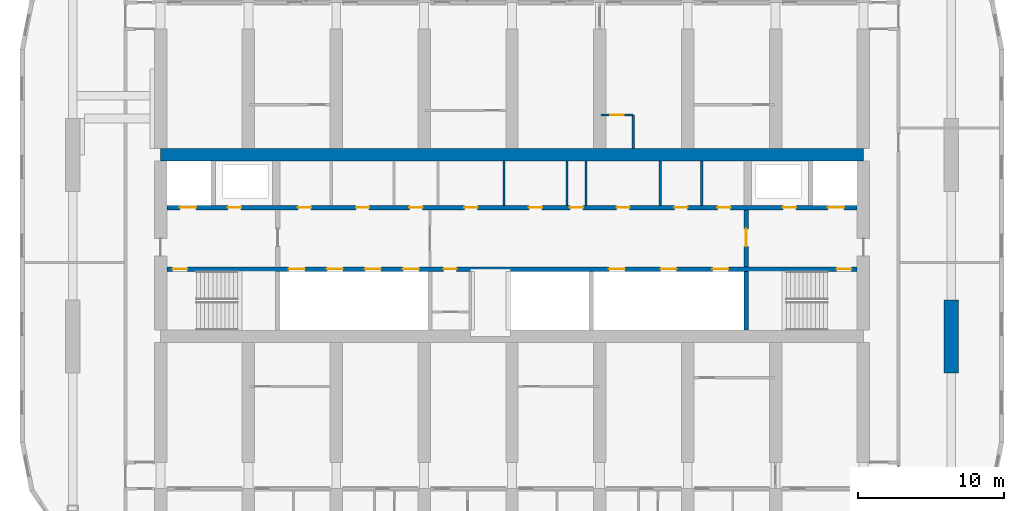
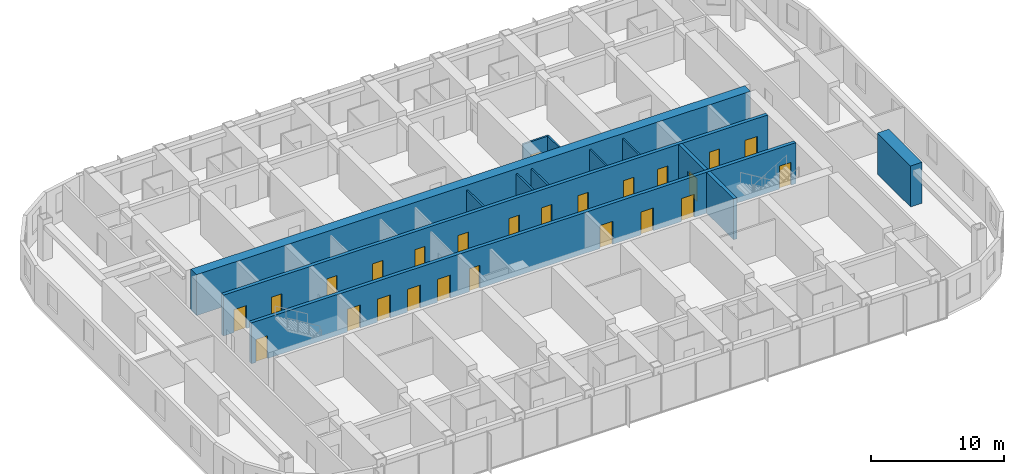
# One storey, part 13 of 22: 25 doors, 13 walls, 25 openings.
"""IFC4 building model written with IfcOpenShell, lengths in metres."""

from ifc_helpers import new_model, si_unit, direction, frame, frame_2d, origin, place, context, subcontext, project, spatial, rectangle, extrude, material, layer, layer_set, type_object, element, fill, save


model = new_model("IFC4")

# Units and contexts
model_context = context("Model", 3, precision=1e-05, world=origin(), true_north=direction((0.0, 1.0)))
body_context = subcontext(model_context, "Body", "Model", "MODEL_VIEW")
ifc_project = project(units=[si_unit("LENGTHUNIT", "METRE"), si_unit("AREAUNIT", "SQUARE_METRE"), si_unit("VOLUMEUNIT", "CUBIC_METRE"), si_unit("PLANEANGLEUNIT", "RADIAN"), si_unit("MASSUNIT", "GRAM", prefix="KILO")], contexts=[model_context])

# Site, building, storey
site_placement = place(None, origin())
site = spatial("IfcSite", under=ifc_project, at=site_placement, CompositionType="ELEMENT")
building_placement = place(site_placement, origin())
building = spatial("IfcBuilding", under=site, at=building_placement, Name="Orbita Commons", CompositionType="ELEMENT")
storey_placement = place(building_placement, frame((0.0, 0.0, 144.85009765625)))
storey = spatial("IfcBuildingStorey", under=building, at=storey_placement, Name="L35", CompositionType="ELEMENT", Elevation=144.85009765625)

# Wall, openings, doors
ifc_material_1 = material(Name="Concrete C50/60", Category="concrete")
ifc_layer_1 = layer(ifc_material_1, 0.300048828125)
ifc_layer_set_1 = layer_set([ifc_layer_1], Name="Concrete C50/60")
wall_type_1 = type_object("IfcWallType", Name="Core inner wall 300 C50/60", PredefinedType="SHEAR", material=ifc_layer_set_1)
wall_1_placement = place(storey_placement, frame((18.425048828125, 30.39990234375, 0.0), z_axis=(0.0, 0.0, 1.0), x_axis=(1.0, 0.0, 0.0)))
wall_1 = element("IfcWall", 1, at=wall_1_placement, inside=storey, type_object=wall_type_1, Name="Lobby wall south L35", PredefinedType="SHEAR", context=body_context, shape_type="SweptSolid", body=[
    extrude(rectangle(XDim=47.14990234375, YDim=0.300048828125, at=frame_2d((23.574951171875, 0.0))), origin(), (0.0, 0.0, 1.0), 3.75),
])
opening_1_placement = place(wall_1_placement, frame((0.39990234375, 0.0, 0.0)))
opening_1 = element("IfcOpeningElement", 2, at=opening_1_placement, cuts=wall_1, Name="Opening D02", PredefinedType="OPENING", context=body_context, shape_type="SweptSolid", body=[
    extrude(rectangle(XDim=1.0, YDim=2.10009765625, at=frame_2d((0.5, 1.050048828125))), frame((0.0, 0.159912109375, 0.0), z_axis=(0.0, -1.0, 0.0), x_axis=(1.0, 0.0, 0.0)), (0.0, 0.0, 1.0), 0.320068359375),
])
opening_2_placement = place(wall_1_placement, frame((45.75, 0.0, 0.0)))
opening_2 = element("IfcOpeningElement", 3, at=opening_2_placement, cuts=wall_1, Name="Opening D02", PredefinedType="OPENING", context=body_context, shape_type="SweptSolid", body=[
    extrude(rectangle(XDim=1.0, YDim=2.10009765625, at=frame_2d((0.5, 1.050048828125))), frame((0.0, 0.159912109375, 0.0), z_axis=(0.0, -1.0, 0.0), x_axis=(1.0, 0.0, 0.0)), (0.0, 0.0, 1.0), 0.320068359375),
])
opening_3_placement = place(wall_1_placement, frame((8.324951171875, 0.0, 0.0)))
opening_3 = element("IfcOpeningElement", 4, at=opening_3_placement, cuts=wall_1, Name="Opening LD02", PredefinedType="OPENING", context=body_context, shape_type="SweptSolid", body=[
    extrude(rectangle(XDim=1.10009765625, YDim=2.10009765625, at=frame_2d((0.550048828125, 1.050048828125))), frame((0.0, 0.159912109375, 0.0), z_axis=(0.0, -1.0, 0.0), x_axis=(1.0, 0.0, 0.0)), (0.0, 0.0, 1.0), 0.320068359375),
])
opening_4_placement = place(wall_1_placement, frame((10.925048828125, 0.0, 0.0)))
opening_4 = element("IfcOpeningElement", 5, at=opening_4_placement, cuts=wall_1, Name="Opening LD02", PredefinedType="OPENING", context=body_context, shape_type="SweptSolid", body=[
    extrude(rectangle(XDim=1.10009765625, YDim=2.10009765625, at=frame_2d((0.550048828125, 1.050048828125))), frame((0.0, 0.159912109375, 0.0), z_axis=(0.0, -1.0, 0.0), x_axis=(1.0, 0.0, 0.0)), (0.0, 0.0, 1.0), 0.320068359375),
])
opening_5_placement = place(wall_1_placement, frame((13.52490234375, 0.0, 0.0)))
opening_5 = element("IfcOpeningElement", 6, at=opening_5_placement, cuts=wall_1, Name="Opening LD02", PredefinedType="OPENING", context=body_context, shape_type="SweptSolid", body=[
    extrude(rectangle(XDim=1.10009765625, YDim=2.10009765625, at=frame_2d((0.550048828125, 1.050048828125))), frame((0.0, 0.159912109375, 0.0), z_axis=(0.0, -1.0, 0.0), x_axis=(1.0, 0.0, 0.0)), (0.0, 0.0, 1.0), 0.320068359375),
])
opening_6_placement = place(wall_1_placement, frame((16.125, 0.0, 0.0)))
opening_6 = element("IfcOpeningElement", 7, at=opening_6_placement, cuts=wall_1, Name="Opening LD02", PredefinedType="OPENING", context=body_context, shape_type="SweptSolid", body=[
    extrude(rectangle(XDim=1.10009765625, YDim=2.10009765625, at=frame_2d((0.550048828125, 1.050048828125))), frame((0.0, 0.159912109375, 0.0), z_axis=(0.0, -1.0, 0.0), x_axis=(1.0, 0.0, 0.0)), (0.0, 0.0, 1.0), 0.320068359375),
])
opening_7_placement = place(wall_1_placement, frame((18.89990234375, 0.0, 0.0)))
opening_7 = element("IfcOpeningElement", 8, at=opening_7_placement, cuts=wall_1, Name="Opening D05", PredefinedType="OPENING", context=body_context, shape_type="SweptSolid", body=[
    extrude(rectangle(XDim=0.89990234375, YDim=2.10009765625, at=frame_2d((0.449951171875, 1.050048828125))), frame((0.0, 0.159912109375, 0.0), z_axis=(0.0, -1.0, 0.0), x_axis=(1.0, 0.0, 0.0)), (0.0, 0.0, 1.0), 0.320068359375),
])
opening_8_placement = place(wall_1_placement, frame((30.191650390625, 0.0, 0.0)))
opening_8 = element("IfcOpeningElement", 9, at=opening_8_placement, cuts=wall_1, Name="Opening LD02", PredefinedType="OPENING", context=body_context, shape_type="SweptSolid", body=[
    extrude(rectangle(XDim=1.10009765625, YDim=2.10009765625, at=frame_2d((0.550048828125, 1.050048828125))), frame((0.0, 0.159912109375, 0.0), z_axis=(0.0, -1.0, 0.0), x_axis=(1.0, 0.0, 0.0)), (0.0, 0.0, 1.0), 0.320068359375),
])
opening_9_placement = place(wall_1_placement, frame((33.72509765625, 0.0, 0.0)))
opening_9 = element("IfcOpeningElement", 10, at=opening_9_placement, cuts=wall_1, Name="Opening LD02", PredefinedType="OPENING", context=body_context, shape_type="SweptSolid", body=[
    extrude(rectangle(XDim=1.10009765625, YDim=2.10009765625, at=frame_2d((0.550048828125, 1.050048828125))), frame((0.0, 0.159912109375, 0.0), z_axis=(0.0, -1.0, 0.0), x_axis=(1.0, 0.0, 0.0)), (0.0, 0.0, 1.0), 0.320068359375),
])
opening_10_placement = place(wall_1_placement, frame((37.25830078125, 0.0, 0.0)))
opening_10 = element("IfcOpeningElement", 11, at=opening_10_placement, cuts=wall_1, Name="Opening LD02", PredefinedType="OPENING", context=body_context, shape_type="SweptSolid", body=[
    extrude(rectangle(XDim=1.10009765625, YDim=2.10009765625, at=frame_2d((0.550048828125, 1.050048828125))), frame((0.0, 0.159912109375, 0.0), z_axis=(0.0, -1.0, 0.0), x_axis=(1.0, 0.0, 0.0)), (0.0, 0.0, 1.0), 0.320068359375),
])
ifc_material_2 = material(Name="Steel-faced fire door leaf", Category="steel")
door_type_1 = type_object("IfcDoorType", Name="Fire door 90 min 1000x2100", OperationType="SINGLE_SWING_LEFT", PredefinedType="DOOR", material=ifc_material_2)
door_1_placement = place(opening_1_placement, origin())
door_1 = element("IfcDoor", 12, at=door_1_placement, inside=storey, type_object=door_type_1, Name="Stair S1 door", OperationType="SINGLE_SWING_LEFT", OverallHeight=2.10009765625, OverallWidth=1.0, PredefinedType="DOOR", context=body_context, shape_type="SweptSolid", body=[
    extrude(rectangle(XDim=1.0, YDim=2.10009765625, at=frame_2d((0.5, 1.050048828125))), frame((0.0, 0.02490234375, 0.0), z_axis=(0.0, -1.0, 0.0), x_axis=(1.0, 0.0, 0.0)), (0.0, 0.0, 1.0), 0.050048828125),
])
fill(opening_1, door_1)
door_2_placement = place(opening_2_placement, origin())
door_2 = element("IfcDoor", 13, at=door_2_placement, inside=storey, type_object=door_type_1, Name="Stair S2 door", OperationType="SINGLE_SWING_LEFT", OverallHeight=2.10009765625, OverallWidth=1.0, PredefinedType="DOOR", context=body_context, shape_type="SweptSolid", body=[
    extrude(rectangle(XDim=1.0, YDim=2.10009765625, at=frame_2d((0.5, 1.050048828125))), frame((0.0, 0.02490234375, 0.0), z_axis=(0.0, -1.0, 0.0), x_axis=(1.0, 0.0, 0.0)), (0.0, 0.0, 1.0), 0.050048828125),
])
fill(opening_2, door_2)
ifc_material_3 = material(Name="Steel-faced fire door leaf", Category="steel")
door_type_2 = type_object("IfcDoorType", Name="Lift landing door 1100x2100", OperationType="DOUBLE_DOOR_SLIDING", PredefinedType="DOOR", material=ifc_material_3)
door_3_placement = place(opening_3_placement, origin())
door_3 = element("IfcDoor", 14, at=door_3_placement, inside=storey, type_object=door_type_2, Name="Lift P31 landing door", OperationType="DOUBLE_DOOR_SLIDING", OverallHeight=2.10009765625, OverallWidth=1.10009765625, PredefinedType="DOOR", context=body_context, shape_type="SweptSolid", body=[
    extrude(rectangle(XDim=1.10009765625, YDim=2.10009765625, at=frame_2d((0.550048828125, 1.050048828125))), frame((0.0, 0.02490234375, 0.0), z_axis=(0.0, -1.0, 0.0), x_axis=(1.0, 0.0, 0.0)), (0.0, 0.0, 1.0), 0.050048828125),
])
fill(opening_3, door_3)
door_4_placement = place(opening_4_placement, origin())
door_4 = element("IfcDoor", 15, at=door_4_placement, inside=storey, type_object=door_type_2, Name="Lift P32 landing door", OperationType="DOUBLE_DOOR_SLIDING", OverallHeight=2.10009765625, OverallWidth=1.10009765625, PredefinedType="DOOR", context=body_context, shape_type="SweptSolid", body=[
    extrude(rectangle(XDim=1.10009765625, YDim=2.10009765625, at=frame_2d((0.550048828125, 1.050048828125))), frame((0.0, 0.02490234375, 0.0), z_axis=(0.0, -1.0, 0.0), x_axis=(1.0, 0.0, 0.0)), (0.0, 0.0, 1.0), 0.050048828125),
])
fill(opening_4, door_4)
door_5_placement = place(opening_5_placement, origin())
door_5 = element("IfcDoor", 16, at=door_5_placement, inside=storey, type_object=door_type_2, Name="Lift P33 landing door", OperationType="DOUBLE_DOOR_SLIDING", OverallHeight=2.10009765625, OverallWidth=1.10009765625, PredefinedType="DOOR", context=body_context, shape_type="SweptSolid", body=[
    extrude(rectangle(XDim=1.10009765625, YDim=2.10009765625, at=frame_2d((0.550048828125, 1.050048828125))), frame((0.0, 0.02490234375, 0.0), z_axis=(0.0, -1.0, 0.0), x_axis=(1.0, 0.0, 0.0)), (0.0, 0.0, 1.0), 0.050048828125),
])
fill(opening_5, door_5)
door_6_placement = place(opening_6_placement, origin())
door_6 = element("IfcDoor", 17, at=door_6_placement, inside=storey, type_object=door_type_2, Name="Lift P34 landing door", OperationType="DOUBLE_DOOR_SLIDING", OverallHeight=2.10009765625, OverallWidth=1.10009765625, PredefinedType="DOOR", context=body_context, shape_type="SweptSolid", body=[
    extrude(rectangle(XDim=1.10009765625, YDim=2.10009765625, at=frame_2d((0.550048828125, 1.050048828125))), frame((0.0, 0.02490234375, 0.0), z_axis=(0.0, -1.0, 0.0), x_axis=(1.0, 0.0, 0.0)), (0.0, 0.0, 1.0), 0.050048828125),
])
fill(opening_6, door_6)
door_7_placement = place(opening_8_placement, origin())
door_7 = element("IfcDoor", 18, at=door_7_placement, inside=storey, type_object=door_type_2, Name="Lift SV1 landing door", OperationType="DOUBLE_DOOR_SLIDING", OverallHeight=2.10009765625, OverallWidth=1.10009765625, PredefinedType="DOOR", context=body_context, shape_type="SweptSolid", body=[
    extrude(rectangle(XDim=1.10009765625, YDim=2.10009765625, at=frame_2d((0.550048828125, 1.050048828125))), frame((0.0, 0.02490234375, 0.0), z_axis=(0.0, -1.0, 0.0), x_axis=(1.0, 0.0, 0.0)), (0.0, 0.0, 1.0), 0.050048828125),
])
fill(opening_8, door_7)
door_8_placement = place(opening_9_placement, origin())
door_8 = element("IfcDoor", 19, at=door_8_placement, inside=storey, type_object=door_type_2, Name="Lift SV2 landing door", OperationType="DOUBLE_DOOR_SLIDING", OverallHeight=2.10009765625, OverallWidth=1.10009765625, PredefinedType="DOOR", context=body_context, shape_type="SweptSolid", body=[
    extrude(rectangle(XDim=1.10009765625, YDim=2.10009765625, at=frame_2d((0.550048828125, 1.050048828125))), frame((0.0, 0.02490234375, 0.0), z_axis=(0.0, -1.0, 0.0), x_axis=(1.0, 0.0, 0.0)), (0.0, 0.0, 1.0), 0.050048828125),
])
fill(opening_9, door_8)
door_9_placement = place(opening_10_placement, origin())
door_9 = element("IfcDoor", 20, at=door_9_placement, inside=storey, type_object=door_type_2, Name="Lift SV3 landing door", OperationType="DOUBLE_DOOR_SLIDING", OverallHeight=2.10009765625, OverallWidth=1.10009765625, PredefinedType="DOOR", context=body_context, shape_type="SweptSolid", body=[
    extrude(rectangle(XDim=1.10009765625, YDim=2.10009765625, at=frame_2d((0.550048828125, 1.050048828125))), frame((0.0, 0.02490234375, 0.0), z_axis=(0.0, -1.0, 0.0), x_axis=(1.0, 0.0, 0.0)), (0.0, 0.0, 1.0), 0.050048828125),
])
fill(opening_10, door_9)
ifc_material_4 = material(Name="Steel-faced fire door leaf", Category="steel")
door_type_3 = type_object("IfcDoorType", Name="Service door 20 min 900x2100", OperationType="SINGLE_SWING_LEFT", PredefinedType="DOOR", material=ifc_material_4)
door_10_placement = place(opening_7_placement, origin())
door_10 = element("IfcDoor", 21, at=door_10_placement, inside=storey, type_object=door_type_3, Name="Staff WC door", OperationType="SINGLE_SWING_LEFT", OverallHeight=2.10009765625, OverallWidth=0.89990234375, PredefinedType="DOOR", context=body_context, shape_type="SweptSolid", body=[
    extrude(rectangle(XDim=0.89990234375, YDim=2.10009765625, at=frame_2d((0.449951171875, 1.050048828125))), frame((0.0, 0.02490234375, 0.0), z_axis=(0.0, -1.0, 0.0), x_axis=(1.0, 0.0, 0.0)), (0.0, 0.0, 1.0), 0.050048828125),
])
fill(opening_7, door_10)

wall_2_placement = place(storey_placement, frame((18.425048828125, 34.60009765625, 0.0), z_axis=(0.0, 0.0, 1.0), x_axis=(1.0, 0.0, 0.0)))
wall_2 = element("IfcWall", 22, at=wall_2_placement, inside=storey, type_object=wall_type_1, Name="Lobby wall north L35", PredefinedType="SHEAR", context=body_context, shape_type="SweptSolid", body=[
    extrude(rectangle(XDim=47.14990234375, YDim=0.300048828125, at=frame_2d((23.574951171875, 0.0))), origin(), (0.0, 0.0, 1.0), 3.75),
])
opening_11_placement = place(wall_2_placement, frame((0.89990234375, 0.0, 0.0)))
opening_11 = element("IfcOpeningElement", 23, at=opening_11_placement, cuts=wall_2, Name="Opening LD01", PredefinedType="OPENING", context=body_context, shape_type="SweptSolid", body=[
    extrude(rectangle(XDim=1.10009765625, YDim=2.10009765625, at=frame_2d((0.550048828125, 1.050048828125))), frame((0.0, 0.159912109375, 0.0), z_axis=(0.0, -1.0, 0.0), x_axis=(1.0, 0.0, 0.0)), (0.0, 0.0, 1.0), 0.320068359375),
])
opening_12_placement = place(wall_2_placement, frame((45.14990234375, 0.0, 0.0)))
opening_12 = element("IfcOpeningElement", 24, at=opening_12_placement, cuts=wall_2, Name="Opening LD01", PredefinedType="OPENING", context=body_context, shape_type="SweptSolid", body=[
    extrude(rectangle(XDim=1.10009765625, YDim=2.10009765625, at=frame_2d((0.550048828125, 1.050048828125))), frame((0.0, 0.159912109375, 0.0), z_axis=(0.0, -1.0, 0.0), x_axis=(1.0, 0.0, 0.0)), (0.0, 0.0, 1.0), 0.320068359375),
])
opening_13_placement = place(wall_2_placement, frame((4.175048828125, 0.0, 0.0)))
opening_13 = element("IfcOpeningElement", 25, at=opening_13_placement, cuts=wall_2, Name="Opening D03", PredefinedType="OPENING", context=body_context, shape_type="SweptSolid", body=[
    extrude(rectangle(XDim=0.89990234375, YDim=2.10009765625, at=frame_2d((0.449951171875, 1.050048828125))), frame((0.0, 0.159912109375, 0.0), z_axis=(0.0, -1.0, 0.0), x_axis=(1.0, 0.0, 0.0)), (0.0, 0.0, 1.0), 0.320068359375),
])
opening_14_placement = place(wall_2_placement, frame((42.074951171875, 0.0, 0.0)))
opening_14 = element("IfcOpeningElement", 26, at=opening_14_placement, cuts=wall_2, Name="Opening D03", PredefinedType="OPENING", context=body_context, shape_type="SweptSolid", body=[
    extrude(rectangle(XDim=0.89990234375, YDim=2.10009765625, at=frame_2d((0.449951171875, 1.050048828125))), frame((0.0, 0.159912109375, 0.0), z_axis=(0.0, -1.0, 0.0), x_axis=(1.0, 0.0, 0.0)), (0.0, 0.0, 1.0), 0.320068359375),
])
opening_15_placement = place(wall_2_placement, frame((8.950439453125, 0.0, 0.0)))
opening_15 = element("IfcOpeningElement", 27, at=opening_15_placement, cuts=wall_2, Name="Opening D05", PredefinedType="OPENING", context=body_context, shape_type="SweptSolid", body=[
    extrude(rectangle(XDim=0.89990234375, YDim=2.10009765625, at=frame_2d((0.449951171875, 1.050048828125))), frame((0.0, 0.159912109375, 0.0), z_axis=(0.0, -1.0, 0.0), x_axis=(1.0, 0.0, 0.0)), (0.0, 0.0, 1.0), 0.320068359375),
])
opening_16_placement = place(wall_2_placement, frame((12.923583984375, 0.0, 0.0)))
opening_16 = element("IfcOpeningElement", 28, at=opening_16_placement, cuts=wall_2, Name="Opening D03", PredefinedType="OPENING", context=body_context, shape_type="SweptSolid", body=[
    extrude(rectangle(XDim=0.89990234375, YDim=2.10009765625, at=frame_2d((0.449951171875, 1.050048828125))), frame((0.0, 0.159912109375, 0.0), z_axis=(0.0, -1.0, 0.0), x_axis=(1.0, 0.0, 0.0)), (0.0, 0.0, 1.0), 0.320068359375),
])
opening_17_placement = place(wall_2_placement, frame((16.5712890625, 0.0, 0.0)))
opening_17 = element("IfcOpeningElement", 29, at=opening_17_placement, cuts=wall_2, Name="Opening D03", PredefinedType="OPENING", context=body_context, shape_type="SweptSolid", body=[
    extrude(rectangle(XDim=0.89990234375, YDim=2.10009765625, at=frame_2d((0.449951171875, 1.050048828125))), frame((0.0, 0.159912109375, 0.0), z_axis=(0.0, -1.0, 0.0), x_axis=(1.0, 0.0, 0.0)), (0.0, 0.0, 1.0), 0.320068359375),
])
opening_18_placement = place(wall_2_placement, frame((20.32958984375, 0.0, 0.0)))
opening_18 = element("IfcOpeningElement", 30, at=opening_18_placement, cuts=wall_2, Name="Opening D03", PredefinedType="OPENING", context=body_context, shape_type="SweptSolid", body=[
    extrude(rectangle(XDim=0.89990234375, YDim=2.10009765625, at=frame_2d((0.449951171875, 1.050048828125))), frame((0.0, 0.159912109375, 0.0), z_axis=(0.0, -1.0, 0.0), x_axis=(1.0, 0.0, 0.0)), (0.0, 0.0, 1.0), 0.320068359375),
])
opening_19_placement = place(wall_2_placement, frame((24.735595703125, 0.0, 0.0)))
opening_19 = element("IfcOpeningElement", 31, at=opening_19_placement, cuts=wall_2, Name="Opening D03", PredefinedType="OPENING", context=body_context, shape_type="SweptSolid", body=[
    extrude(rectangle(XDim=0.89990234375, YDim=2.10009765625, at=frame_2d((0.449951171875, 1.050048828125))), frame((0.0, 0.159912109375, 0.0), z_axis=(0.0, -1.0, 0.0), x_axis=(1.0, 0.0, 0.0)), (0.0, 0.0, 1.0), 0.320068359375),
])
opening_20_placement = place(wall_2_placement, frame((27.533447265625, 0.0, 0.0)))
opening_20 = element("IfcOpeningElement", 32, at=opening_20_placement, cuts=wall_2, Name="Opening D03", PredefinedType="OPENING", context=body_context, shape_type="SweptSolid", body=[
    extrude(rectangle(XDim=0.89990234375, YDim=2.10009765625, at=frame_2d((0.449951171875, 1.050048828125))), frame((0.0, 0.159912109375, 0.0), z_axis=(0.0, -1.0, 0.0), x_axis=(1.0, 0.0, 0.0)), (0.0, 0.0, 1.0), 0.320068359375),
])
opening_21_placement = place(wall_2_placement, frame((30.71630859375, 0.0, 0.0)))
opening_21 = element("IfcOpeningElement", 33, at=opening_21_placement, cuts=wall_2, Name="Opening D05", PredefinedType="OPENING", context=body_context, shape_type="SweptSolid", body=[
    extrude(rectangle(XDim=0.89990234375, YDim=2.10009765625, at=frame_2d((0.449951171875, 1.050048828125))), frame((0.0, 0.159912109375, 0.0), z_axis=(0.0, -1.0, 0.0), x_axis=(1.0, 0.0, 0.0)), (0.0, 0.0, 1.0), 0.320068359375),
])
opening_22_placement = place(wall_2_placement, frame((34.667236328125, 0.0, 0.0)))
opening_22 = element("IfcOpeningElement", 34, at=opening_22_placement, cuts=wall_2, Name="Opening D03", PredefinedType="OPENING", context=body_context, shape_type="SweptSolid", body=[
    extrude(rectangle(XDim=0.89990234375, YDim=2.10009765625, at=frame_2d((0.449951171875, 1.050048828125))), frame((0.0, 0.159912109375, 0.0), z_axis=(0.0, -1.0, 0.0), x_axis=(1.0, 0.0, 0.0)), (0.0, 0.0, 1.0), 0.320068359375),
])
opening_23_placement = place(wall_2_placement, frame((37.605224609375, 0.0, 0.0)))
opening_23 = element("IfcOpeningElement", 35, at=opening_23_placement, cuts=wall_2, Name="Opening D03", PredefinedType="OPENING", context=body_context, shape_type="SweptSolid", body=[
    extrude(rectangle(XDim=0.89990234375, YDim=2.10009765625, at=frame_2d((0.449951171875, 1.050048828125))), frame((0.0, 0.159912109375, 0.0), z_axis=(0.0, -1.0, 0.0), x_axis=(1.0, 0.0, 0.0)), (0.0, 0.0, 1.0), 0.320068359375),
])
ifc_material_5 = material(Name="Steel-faced fire door leaf", Category="steel")
door_type_4 = type_object("IfcDoorType", Name="Firefighting lift landing door 1100x2100", OperationType="DOUBLE_DOOR_SLIDING", PredefinedType="DOOR", material=ifc_material_5)
door_11_placement = place(opening_11_placement, origin())
door_11 = element("IfcDoor", 36, at=door_11_placement, inside=storey, type_object=door_type_4, Name="Firefighting lift FL1 landing door", OperationType="DOUBLE_DOOR_SLIDING", OverallHeight=2.10009765625, OverallWidth=1.10009765625, PredefinedType="DOOR", context=body_context, shape_type="SweptSolid", body=[
    extrude(rectangle(XDim=1.10009765625, YDim=2.10009765625, at=frame_2d((0.550048828125, 1.050048828125))), frame((0.0, 0.02490234375, 0.0), z_axis=(0.0, -1.0, 0.0), x_axis=(1.0, 0.0, 0.0)), (0.0, 0.0, 1.0), 0.050048828125),
])
fill(opening_11, door_11)
door_12_placement = place(opening_12_placement, origin())
door_12 = element("IfcDoor", 37, at=door_12_placement, inside=storey, type_object=door_type_4, Name="Firefighting lift FL2 landing door", OperationType="DOUBLE_DOOR_SLIDING", OverallHeight=2.10009765625, OverallWidth=1.10009765625, PredefinedType="DOOR", context=body_context, shape_type="SweptSolid", body=[
    extrude(rectangle(XDim=1.10009765625, YDim=2.10009765625, at=frame_2d((0.550048828125, 1.050048828125))), frame((0.0, 0.02490234375, 0.0), z_axis=(0.0, -1.0, 0.0), x_axis=(1.0, 0.0, 0.0)), (0.0, 0.0, 1.0), 0.050048828125),
])
fill(opening_12, door_12)
door_13_placement = place(opening_15_placement, origin())
door_13 = element("IfcDoor", 38, at=door_13_placement, inside=storey, type_object=door_type_3, Name="Accessible WC door", OperationType="SINGLE_SWING_LEFT", OverallHeight=2.10009765625, OverallWidth=0.89990234375, PredefinedType="DOOR", context=body_context, shape_type="SweptSolid", body=[
    extrude(rectangle(XDim=0.89990234375, YDim=2.10009765625, at=frame_2d((0.449951171875, 1.050048828125))), frame((0.0, 0.02490234375, 0.0), z_axis=(0.0, -1.0, 0.0), x_axis=(1.0, 0.0, 0.0)), (0.0, 0.0, 1.0), 0.050048828125),
])
fill(opening_15, door_13)
door_14_placement = place(opening_21_placement, origin())
door_14 = element("IfcDoor", 39, at=door_14_placement, inside=storey, type_object=door_type_3, Name="Guest pantry door", OperationType="SINGLE_SWING_LEFT", OverallHeight=2.10009765625, OverallWidth=0.89990234375, PredefinedType="DOOR", context=body_context, shape_type="SweptSolid", body=[
    extrude(rectangle(XDim=0.89990234375, YDim=2.10009765625, at=frame_2d((0.449951171875, 1.050048828125))), frame((0.0, 0.02490234375, 0.0), z_axis=(0.0, -1.0, 0.0), x_axis=(1.0, 0.0, 0.0)), (0.0, 0.0, 1.0), 0.050048828125),
])
fill(opening_21, door_14)
ifc_material_6 = material(Name="Steel-faced fire door leaf", Category="steel")
door_type_5 = type_object("IfcDoorType", Name="Shaft access door 90 min 900x2100", OperationType="SINGLE_SWING_LEFT", PredefinedType="DOOR", material=ifc_material_6)
door_15_placement = place(opening_13_placement, origin())
door_15 = element("IfcDoor", 40, at=door_15_placement, inside=storey, type_object=door_type_5, Name="Riser door west", OperationType="SINGLE_SWING_LEFT", OverallHeight=2.10009765625, OverallWidth=0.89990234375, PredefinedType="DOOR", context=body_context, shape_type="SweptSolid", body=[
    extrude(rectangle(XDim=0.89990234375, YDim=2.10009765625, at=frame_2d((0.449951171875, 1.050048828125))), frame((0.0, 0.02490234375, 0.0), z_axis=(0.0, -1.0, 0.0), x_axis=(1.0, 0.0, 0.0)), (0.0, 0.0, 1.0), 0.050048828125),
])
fill(opening_13, door_15)
door_16_placement = place(opening_14_placement, origin())
door_16 = element("IfcDoor", 41, at=door_16_placement, inside=storey, type_object=door_type_5, Name="Riser door east", OperationType="SINGLE_SWING_LEFT", OverallHeight=2.10009765625, OverallWidth=0.89990234375, PredefinedType="DOOR", context=body_context, shape_type="SweptSolid", body=[
    extrude(rectangle(XDim=0.89990234375, YDim=2.10009765625, at=frame_2d((0.449951171875, 1.050048828125))), frame((0.0, 0.02490234375, 0.0), z_axis=(0.0, -1.0, 0.0), x_axis=(1.0, 0.0, 0.0)), (0.0, 0.0, 1.0), 0.050048828125),
])
fill(opening_14, door_16)
door_17_placement = place(opening_16_placement, origin())
door_17 = element("IfcDoor", 42, at=door_17_placement, inside=storey, type_object=door_type_5, Name="Refuse chute room door", OperationType="SINGLE_SWING_LEFT", OverallHeight=2.10009765625, OverallWidth=0.89990234375, PredefinedType="DOOR", context=body_context, shape_type="SweptSolid", body=[
    extrude(rectangle(XDim=0.89990234375, YDim=2.10009765625, at=frame_2d((0.449951171875, 1.050048828125))), frame((0.0, 0.02490234375, 0.0), z_axis=(0.0, -1.0, 0.0), x_axis=(1.0, 0.0, 0.0)), (0.0, 0.0, 1.0), 0.050048828125),
])
fill(opening_16, door_17)
door_18_placement = place(opening_17_placement, origin())
door_18 = element("IfcDoor", 43, at=door_18_placement, inside=storey, type_object=door_type_5, Name="Electrical riser room door", OperationType="SINGLE_SWING_LEFT", OverallHeight=2.10009765625, OverallWidth=0.89990234375, PredefinedType="DOOR", context=body_context, shape_type="SweptSolid", body=[
    extrude(rectangle(XDim=0.89990234375, YDim=2.10009765625, at=frame_2d((0.449951171875, 1.050048828125))), frame((0.0, 0.02490234375, 0.0), z_axis=(0.0, -1.0, 0.0), x_axis=(1.0, 0.0, 0.0)), (0.0, 0.0, 1.0), 0.050048828125),
])
fill(opening_17, door_18)
door_19_placement = place(opening_18_placement, origin())
door_19 = element("IfcDoor", 44, at=door_19_placement, inside=storey, type_object=door_type_5, Name="IT room door", OperationType="SINGLE_SWING_LEFT", OverallHeight=2.10009765625, OverallWidth=0.89990234375, PredefinedType="DOOR", context=body_context, shape_type="SweptSolid", body=[
    extrude(rectangle(XDim=0.89990234375, YDim=2.10009765625, at=frame_2d((0.449951171875, 1.050048828125))), frame((0.0, 0.02490234375, 0.0), z_axis=(0.0, -1.0, 0.0), x_axis=(1.0, 0.0, 0.0)), (0.0, 0.0, 1.0), 0.050048828125),
])
fill(opening_18, door_19)
door_20_placement = place(opening_19_placement, origin())
door_20 = element("IfcDoor", 45, at=door_20_placement, inside=storey, type_object=door_type_5, Name="Communications room door", OperationType="SINGLE_SWING_LEFT", OverallHeight=2.10009765625, OverallWidth=0.89990234375, PredefinedType="DOOR", context=body_context, shape_type="SweptSolid", body=[
    extrude(rectangle(XDim=0.89990234375, YDim=2.10009765625, at=frame_2d((0.449951171875, 1.050048828125))), frame((0.0, 0.02490234375, 0.0), z_axis=(0.0, -1.0, 0.0), x_axis=(1.0, 0.0, 0.0)), (0.0, 0.0, 1.0), 0.050048828125),
])
fill(opening_19, door_20)
door_21_placement = place(opening_20_placement, origin())
door_21 = element("IfcDoor", 46, at=door_21_placement, inside=storey, type_object=door_type_5, Name="Stair pressurisation duct door", OperationType="SINGLE_SWING_LEFT", OverallHeight=2.10009765625, OverallWidth=0.89990234375, PredefinedType="DOOR", context=body_context, shape_type="SweptSolid", body=[
    extrude(rectangle(XDim=0.89990234375, YDim=2.10009765625, at=frame_2d((0.449951171875, 1.050048828125))), frame((0.0, 0.02490234375, 0.0), z_axis=(0.0, -1.0, 0.0), x_axis=(1.0, 0.0, 0.0)), (0.0, 0.0, 1.0), 0.050048828125),
])
fill(opening_20, door_21)
door_22_placement = place(opening_22_placement, origin())
door_22 = element("IfcDoor", 47, at=door_22_placement, inside=storey, type_object=door_type_5, Name="Linen store door", OperationType="SINGLE_SWING_LEFT", OverallHeight=2.10009765625, OverallWidth=0.89990234375, PredefinedType="DOOR", context=body_context, shape_type="SweptSolid", body=[
    extrude(rectangle(XDim=0.89990234375, YDim=2.10009765625, at=frame_2d((0.449951171875, 1.050048828125))), frame((0.0, 0.02490234375, 0.0), z_axis=(0.0, -1.0, 0.0), x_axis=(1.0, 0.0, 0.0)), (0.0, 0.0, 1.0), 0.050048828125),
])
fill(opening_22, door_22)
door_23_placement = place(opening_23_placement, origin())
door_23 = element("IfcDoor", 48, at=door_23_placement, inside=storey, type_object=door_type_5, Name="Cleaners store door", OperationType="SINGLE_SWING_LEFT", OverallHeight=2.10009765625, OverallWidth=0.89990234375, PredefinedType="DOOR", context=body_context, shape_type="SweptSolid", body=[
    extrude(rectangle(XDim=0.89990234375, YDim=2.10009765625, at=frame_2d((0.449951171875, 1.050048828125))), frame((0.0, 0.02490234375, 0.0), z_axis=(0.0, -1.0, 0.0), x_axis=(1.0, 0.0, 0.0)), (0.0, 0.0, 1.0), 0.050048828125),
])
fill(opening_23, door_23)

# Wall
wall_3_placement = place(storey_placement, frame((58.0, 26.22509765625, 0.0), z_axis=(0.0, 0.0, 1.0), x_axis=(0.0, 1.0, 0.0)))
element("IfcWall", 49, at=wall_3_placement, inside=storey, type_object=wall_type_1, Name="Stair S2 wall L35", PredefinedType="SHEAR", context=body_context, shape_type="SweptSolid", body=[
    extrude(rectangle(XDim=4.02490234375, YDim=0.300048828125, at=frame_2d((2.012451171875, 0.0))), origin(), (0.0, 0.0, 1.0), 3.75),
])

# Wall, opening, door
wall_4_placement = place(storey_placement, frame((58.0, 30.550048828125, 0.0), z_axis=(0.0, 0.0, 1.0), x_axis=(0.0, 1.0, 0.0)))
wall_4 = element("IfcWall", 50, at=wall_4_placement, inside=storey, type_object=wall_type_1, Name="Firefighting lobby wall east L35", PredefinedType="SHEAR", context=body_context, shape_type="SweptSolid", body=[
    extrude(rectangle(XDim=3.89990234375, YDim=0.300048828125, at=frame_2d((1.949951171875, 0.0))), origin(), (0.0, 0.0, 1.0), 3.75),
])
opening_24_placement = place(wall_4_placement, frame((1.39990234375, 0.0, 0.0)))
opening_24 = element("IfcOpeningElement", 51, at=opening_24_placement, cuts=wall_4, Name="Opening D04", PredefinedType="OPENING", context=body_context, shape_type="SweptSolid", body=[
    extrude(rectangle(XDim=1.199951171875, YDim=2.10009765625, at=frame_2d((0.60009765625, 1.050048828125))), frame((0.0, 0.159912109375, 0.0), z_axis=(0.0, -1.0, 0.0), x_axis=(1.0, 0.0, 0.0)), (0.0, 0.0, 1.0), 0.320068359375),
])
ifc_material_7 = material(Name="Steel-faced fire door leaf", Category="steel")
door_type_6 = type_object("IfcDoorType", Name="Service door 20 min 1200x2100", OperationType="SINGLE_SWING_LEFT", PredefinedType="DOOR", material=ifc_material_7)
door_24_placement = place(opening_24_placement, origin())
door_24 = element("IfcDoor", 52, at=door_24_placement, inside=storey, type_object=door_type_6, Name="Lift lobby door east", OperationType="SINGLE_SWING_LEFT", OverallHeight=2.10009765625, OverallWidth=1.199951171875, PredefinedType="DOOR", context=body_context, shape_type="SweptSolid", body=[
    extrude(rectangle(XDim=1.199951171875, YDim=2.10009765625, at=frame_2d((0.60009765625, 1.050048828125))), frame((0.0, 0.02490234375, 0.0), z_axis=(0.0, -1.0, 0.0), x_axis=(1.0, 0.0, 0.0)), (0.0, 0.0, 1.0), 0.050048828125),
])
fill(opening_24, door_24)

# Walls
ifc_material_8 = material(Name="Concrete blockwork", Category="masonry")
ifc_layer_2 = layer(ifc_material_8, 0.14990234375)
ifc_layer_set_2 = layer_set([ifc_layer_2], Name="Concrete blockwork")
wall_type_2 = type_object("IfcWallType", Name="Core partition 150 blockwork", PredefinedType="SOLIDWALL", material=ifc_layer_set_2)
for number, where, z_axis, x_axis, name in (
    (53, (41.463134765625, 34.75, 0.0), (0.0, 0.0, 1.0), (0.0, 1.0, 0.0), "Core partition 150 blockwork L35"),
    (54, (45.75830078125, 34.75, 0.0), (0.0, 0.0, 1.0), (0.0, 1.0, 0.0), "Core partition 150 blockwork L35"),
    (55, (47.058349609375, 34.75, 0.0), (0.0, 0.0, 1.0), (0.0, 1.0, 0.0), "Core partition 150 blockwork L35"),
    (56, (52.123779296875, 34.75, 0.0), (0.0, 0.0, 1.0), (0.0, 1.0, 0.0), "Core partition 150 blockwork L35"),
    (57, (54.960693359375, 34.75, 0.0), (0.0, 0.0, 1.0), (0.0, 1.0, 0.0), "Core partition 150 blockwork L35"),
):
    element("IfcWall", number, at=place(storey_placement, frame(where, z_axis=z_axis, x_axis=x_axis)), inside=storey, type_object=wall_type_2, Name=name, PredefinedType="SOLIDWALL", context=body_context, shape_type="SweptSolid", body=[
        extrude(rectangle(XDim=3.02490234375, YDim=0.14990234375, at=frame_2d((1.512451171875, 0.0))), origin(), (0.0, 0.0, 1.0), 3.2998046875),
    ])
ifc_material_9 = material(Name="Concrete C50/60", Category="concrete")
ifc_layer_3 = layer(ifc_material_9, 0.85009765625)
ifc_layer_set_3 = layer_set([ifc_layer_3], Name="Concrete C50/60")
wall_type_3 = type_object("IfcWallType", Name="Core wall 850 C50/60", PredefinedType="SHEAR", material=ifc_layer_set_3)
wall_5_placement = place(storey_placement, frame((18.0, 38.199951171875, 0.0), z_axis=(0.0, 0.0, 1.0), x_axis=(1.0, 0.0, 0.0)))
element("IfcWall", 58, at=wall_5_placement, inside=storey, type_object=wall_type_3, Name="Core spine wall north L35", PredefinedType="SHEAR", context=body_context, shape_type="SweptSolid", body=[
    extrude(rectangle(XDim=48.0, YDim=0.85009765625, at=frame_2d((24.0, 0.0))), origin(), (0.0, 0.0, 1.0), 3.75),
])
ifc_material_10 = material(Name="Concrete C50/60", Category="concrete")
ifc_layer_4 = layer(ifc_material_10, 1.0)
ifc_layer_set_4 = layer_set([ifc_layer_4], Name="Concrete C50/60")
wall_type_4 = type_object("IfcWallType", Name="End pier 1000x5000 C50/60", PredefinedType="SHEAR", material=ifc_layer_set_4)
wall_6_placement = place(storey_placement, frame((72.0, 23.300048828125, 0.0), z_axis=(0.0, 0.0, 1.0), x_axis=(0.0, 1.0, 0.0)))
element("IfcWall", 59, at=wall_6_placement, inside=storey, type_object=wall_type_4, Name="End pier 13/C L35", PredefinedType="SHEAR", context=body_context, shape_type="SweptSolid", body=[
    extrude(rectangle(XDim=5.0, YDim=1.0, at=frame_2d((2.5, 0.0))), origin(), (0.0, 0.0, 1.0), 3.75),
])
ifc_material_11 = material(Name="Gypsum plasterboard on steel studs", Category="steel")
ifc_layer_5 = layer(ifc_material_11, 0.14990234375)
ifc_layer_set_5 = layer_set([ifc_layer_5], Name="Gypsum plasterboard on steel studs")
wall_type_5 = type_object("IfcWallType", Name="Partition 150 plasterboard", PredefinedType="PARTITIONING", material=ifc_layer_set_5)
wall_7_placement = place(storey_placement, frame((50.27490234375, 40.925048828125, 0.0), z_axis=(0.0, 0.0, 1.0), x_axis=(0.0, -1.0, 0.0)))
element("IfcWall", 60, at=wall_7_placement, inside=storey, type_object=wall_type_5, Name="Partition 150 plasterboard L35", PredefinedType="PARTITIONING", context=body_context, shape_type="SweptSolid", body=[
    extrude(rectangle(XDim=2.300048828125, YDim=0.14990234375, at=frame_2d((1.14990234375, 0.0))), origin(), (0.0, 0.0, 1.0), 3.2998046875),
])

# Wall, opening, door
wall_8_placement = place(storey_placement, frame((50.27490234375, 40.925048828125, 0.0), z_axis=(0.0, 0.0, 1.0), x_axis=(-1.0, 0.0, 0.0)))
wall_8 = element("IfcWall", 61, at=wall_8_placement, inside=storey, type_object=wall_type_5, Name="Partition 150 plasterboard L35", PredefinedType="PARTITIONING", context=body_context, shape_type="SweptSolid", body=[
    extrude(rectangle(XDim=2.199951171875, YDim=0.14990234375, at=frame_2d((1.10009765625, 0.0))), origin(), (0.0, 0.0, 1.0), 3.2998046875),
])
opening_25_placement = place(wall_8_placement, frame((0.64990234375, 0.0, 0.0)))
opening_25 = element("IfcOpeningElement", 62, at=opening_25_placement, cuts=wall_8, Name="Opening D05", PredefinedType="OPENING", context=body_context, shape_type="SweptSolid", body=[
    extrude(rectangle(XDim=0.89990234375, YDim=2.10009765625, at=frame_2d((0.449951171875, 1.050048828125))), frame((0.0, 0.0849609375, 0.0), z_axis=(0.0, -1.0, 0.0), x_axis=(1.0, 0.0, 0.0)), (0.0, 0.0, 1.0), 0.169921875),
])
door_25_placement = place(opening_25_placement, origin())
door_25 = element("IfcDoor", 63, at=door_25_placement, inside=storey, type_object=door_type_3, Name="Accessible WC L35-BDN48 door", OperationType="SINGLE_SWING_LEFT", OverallHeight=2.10009765625, OverallWidth=0.89990234375, PredefinedType="DOOR", context=body_context, shape_type="SweptSolid", body=[
    extrude(rectangle(XDim=0.89990234375, YDim=2.10009765625, at=frame_2d((0.449951171875, 1.050048828125))), frame((0.0, 0.02490234375, 0.0), z_axis=(0.0, -1.0, 0.0), x_axis=(1.0, 0.0, 0.0)), (0.0, 0.0, 1.0), 0.050048828125),
])
fill(opening_25, door_25)

save(model, "model.ifc")
